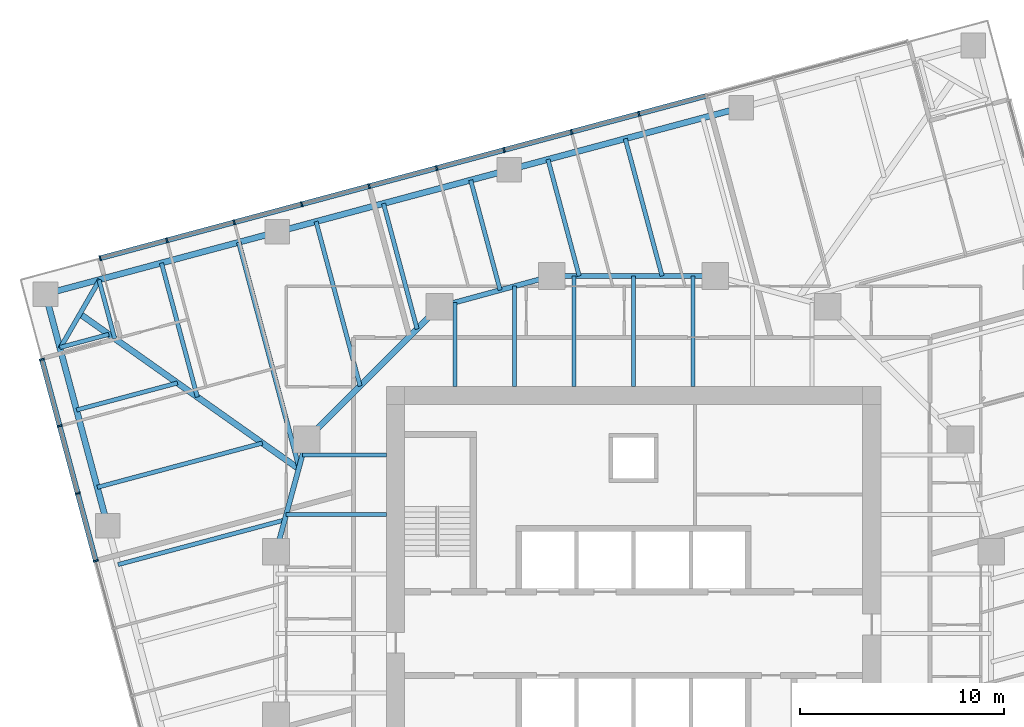
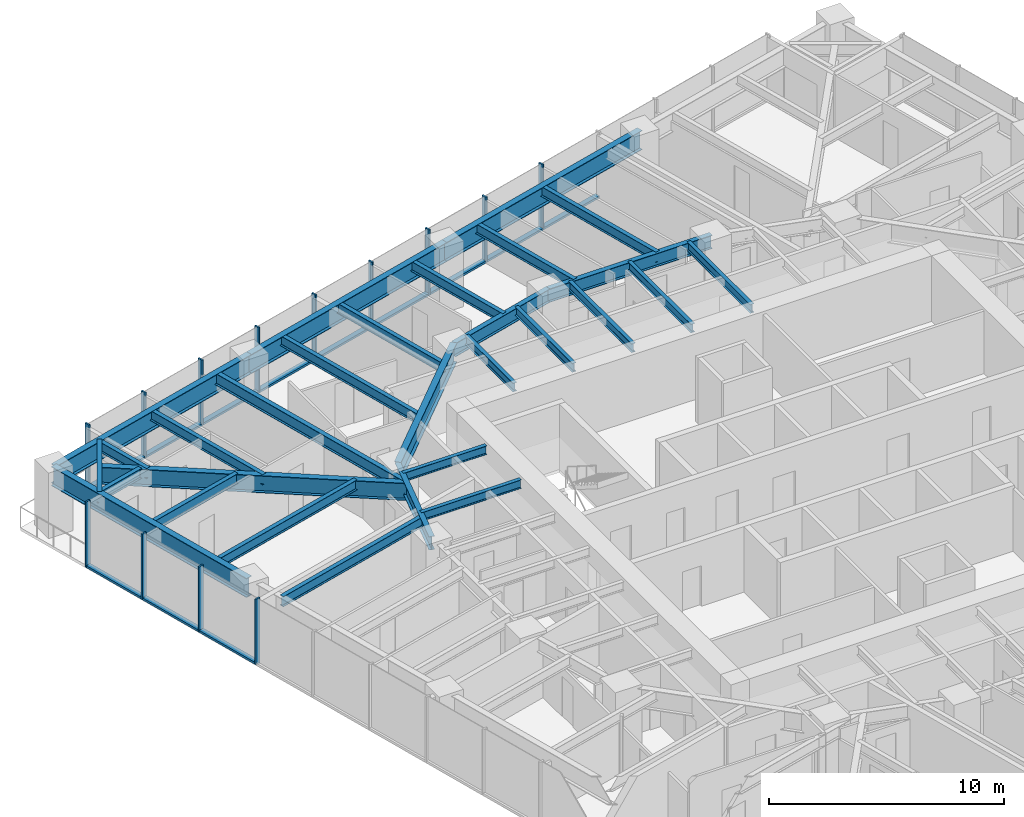
# One storey, part 5 of 14: 29 beams, 25 members, 2 elements without a shape of their own.
"""IFC4 building model written with IfcOpenShell, lengths in metres."""

import ifcopenshell
import ifcopenshell.guid

model = None  # the IFC model being written
_history = None  # IfcOwnerHistory: only IFC2X3 demands one
_inside = {}  # id of a spatial element -> (the spatial element, [elements in it])
_under = {}  # id of a project, library or spatial element -> (it, [spatial elements below it])
_declared = {}  # id of a project -> (the project, [libraries it declares])
_typed = {}  # id of a type object -> (the type object, [elements of that type])
_made_of = {}  # id of a material, layer set ... -> (it, [elements and type objects made of it])


def new_model(schema):
    """Start an empty IFC model of exactly this schema.

    Asked for "IFC4X3", IfcOpenShell would pick the latest addendum, in which some entities
    have other attributes; the version numbers below select the first issue.
    IFC2X3 requires an IfcOwnerHistory on every rooted entity: one is made here for all.
    """
    global model, _history
    if schema == "IFC4X3":
        model = ifcopenshell.file(schema_version=(4, 3, 0, 0))
    else:
        model = ifcopenshell.file(schema=schema)
    _inside.clear()
    _under.clear()
    _declared.clear()
    _typed.clear()
    _made_of.clear()
    _history = None
    if model.schema == "IFC2X3":
        org = make("IfcOrganization", Name="unknown")
        user = make(
            "IfcPersonAndOrganization",
            ThePerson=make("IfcPerson", FamilyName="unknown"),
            TheOrganization=org,
        )
        app = make(
            "IfcApplication",
            ApplicationDeveloper=org,
            Version="unknown",
            ApplicationFullName="unknown",
            ApplicationIdentifier="unknown",
        )
        _history = make(
            "IfcOwnerHistory",
            OwningUser=user,
            OwningApplication=app,
            ChangeAction="ADDED",
            CreationDate=0,
        )
    return model


def make(cls, **values):
    """One entity of the class cls with the attributes given. An attribute that is None is left unset."""
    return model.create_entity(
        cls, **{name: value for name, value in values.items() if value is not None}
    )


def rooted(cls, **values):
    """An entity with a GlobalId (a new one), such as an element, a storey or a relation."""
    return make(cls, GlobalId=ifcopenshell.guid.new(), OwnerHistory=_history, **values)


def si_unit(unit_type, name, prefix=None):
    """IfcSIUnit, for example si_unit("LENGTHUNIT", "METRE", prefix="MILLI")."""
    return make("IfcSIUnit", UnitType=unit_type, Prefix=prefix, Name=name)


def assignment(units):
    """IfcUnitAssignment: the units of a project."""
    return None if units is None else make("IfcUnitAssignment", Units=units)


def point(xyz):
    """IfcCartesianPoint."""
    return None if xyz is None else make("IfcCartesianPoint", Coordinates=xyz)


def direction(xyz):
    """IfcDirection."""
    return None if xyz is None else make("IfcDirection", DirectionRatios=xyz)


def frame(location, z_axis=None, x_axis=None):
    """IfcAxis2Placement3D, a coordinate frame: its origin and axes. An axis left out is left unset."""
    return make(
        "IfcAxis2Placement3D",
        Location=point(location),
        Axis=direction(z_axis),
        RefDirection=direction(x_axis),
    )


def frame_2d(location, x_axis=None):
    """IfcAxis2Placement2D, a coordinate frame in the plane: its origin and x axis."""
    return make(
        "IfcAxis2Placement2D", Location=point(location), RefDirection=direction(x_axis)
    )


def origin():
    """The frame at (0, 0, 0) with its axes left unset."""
    return frame((0.0, 0.0, 0.0))


def origin_2d():
    """The frame at (0, 0) in the plane with its x axis left unset."""
    return frame_2d((0.0, 0.0))


def place(relative_to, where):
    """IfcLocalPlacement: puts the frame where relative to a parent placement (None: the world)."""
    return make(
        "IfcLocalPlacement", PlacementRelTo=relative_to, RelativePlacement=where
    )


def context(
    kind, dimensions, precision=None, world=None, true_north=None, identifier=None
):
    """IfcGeometricRepresentationContext, for example the 3D "Model" context."""
    return make(
        "IfcGeometricRepresentationContext",
        ContextIdentifier=identifier,
        ContextType=kind,
        CoordinateSpaceDimension=dimensions,
        Precision=precision,
        WorldCoordinateSystem=world,
        TrueNorth=true_north,
    )


def subcontext(parent, identifier, kind, view, scale=None):
    """IfcGeometricRepresentationSubContext, for example "Body" below "Model"."""
    return make(
        "IfcGeometricRepresentationSubContext",
        ContextIdentifier=identifier,
        ContextType=kind,
        ParentContext=parent,
        TargetScale=scale,
        TargetView=view,
    )


def project(units=None, contexts=None):
    """IfcProject with its units and contexts."""
    return rooted(
        "IfcProject",
        Name="project",
        RepresentationContexts=contexts,
        UnitsInContext=assignment(units),
    )


def spatial(cls, under=None, at=None, **own):
    """A site, building, storey or space (cls), placed at a placement, below another one or the project."""
    s = rooted(cls, ObjectPlacement=at, **own)
    if under is not None:
        _under.setdefault(under.id(), (under, []))[1].append(s)
    return s


def profile(cls, at=None, kind="AREA", **sizes):
    """A parametric profile (cls). Its sizes go by their IFC names, for example OverallWidth=200.0."""
    return make(cls, ProfileType=kind, Position=at, **sizes)


def rectangle(**sizes):
    """IfcRectangleProfileDef."""
    return profile("IfcRectangleProfileDef", **sizes)


def i_section(**sizes):
    """IfcIShapeProfileDef."""
    return profile("IfcIShapeProfileDef", **sizes)


def extrude(swept, where, along, depth):
    """IfcExtrudedAreaSolid: the profile swept, set in the frame where, extruded along a direction by depth."""
    return make(
        "IfcExtrudedAreaSolid",
        SweptArea=swept,
        Position=where,
        ExtrudedDirection=direction(along),
        Depth=depth,
    )


def shape(context_of_items, identifier, shape_type, items):
    """IfcShapeRepresentation: the items that make up one representation, for example the "Body"."""
    return make(
        "IfcShapeRepresentation",
        ContextOfItems=context_of_items,
        RepresentationIdentifier=identifier,
        RepresentationType=shape_type,
        Items=items,
    )


def material(Name=None, Category=None):
    """IfcMaterial."""
    return make("IfcMaterial", Name=Name, Category=Category)


def material_profile(
    of_material, cross_section, Name=None, Category=None, Priority=None
):
    """IfcMaterialProfile: a cross section and its material."""
    return make(
        "IfcMaterialProfile",
        Name=Name,
        Material=of_material,
        Profile=cross_section,
        Priority=Priority,
        Category=Category,
    )


def profile_set(profiles, Name=None, composite=None):
    """IfcMaterialProfileSet."""
    return make(
        "IfcMaterialProfileSet",
        Name=Name,
        MaterialProfiles=profiles,
        CompositeProfile=composite,
    )


def made_of(thing, what):
    """Note that an element or type object is made of a material, layer set ...; save() writes the relation."""
    if what is not None:
        _made_of.setdefault(what.id(), (what, []))[1].append(thing)
    return thing


def type_object(cls, material=None, **own):
    """A type object (cls), such as IfcWallType, which elements share."""
    return made_of(rooted(cls, **own), material)


def element(
    cls,
    number,
    at=None,
    inside=None,
    cuts=None,
    type_object=None,
    material=None,
    context=None,
    identifier="Body",
    shape_type=None,
    held_by="IfcProductDefinitionShape",
    body=None,
    shapes=None,
    **own,
):
    """One element of the class cls, such as IfcWall. Its Tag is "e" and its number.

    at: its placement. inside: the storey or other place that contains it. cuts: it is an
    opening in that element (IfcRelVoidsElement). A single representation is given by context,
    identifier, shape_type and body (its items); several are given by shapes. held_by: the class
    of the entity that holds the representations. save() writes the other relations.
    """
    e = rooted(cls, Tag="e%d" % number, ObjectPlacement=at, **own)
    if body is not None:
        shapes = [shape(context, identifier, shape_type, body)]
    if shapes is not None:
        e.Representation = make(held_by, Representations=shapes)
    if inside is not None:
        _inside.setdefault(inside.id(), (inside, []))[1].append(e)
    if cuts is not None:
        rooted(
            "IfcRelVoidsElement", RelatingBuildingElement=cuts, RelatedOpeningElement=e
        )
    if type_object is not None:
        _typed.setdefault(type_object.id(), (type_object, []))[1].append(e)
    return made_of(e, material)


def aggregate(whole, parts):
    """IfcRelAggregates: a whole, such as a stair, and the parts it consists of."""
    return rooted("IfcRelAggregates", RelatingObject=whole, RelatedObjects=parts)


def save(model, path):
    """Write the relations noted so far, then the file.

    IfcRelAggregates (storeys below a building ...), IfcRelContainedInSpatialStructure (elements
    in a storey), IfcRelDefinesByType, IfcRelAssociatesMaterial and IfcRelDeclares: one each for
    every whole, place, type object, material and project.
    """
    for whole, parts in _under.values():
        aggregate(whole, parts)
    for where, things in _inside.values():
        rooted(
            "IfcRelContainedInSpatialStructure",
            RelatedElements=things,
            RelatingStructure=where,
        )
    for kind, things in _typed.values():
        rooted("IfcRelDefinesByType", RelatedObjects=things, RelatingType=kind)
    for what, things in _made_of.values():
        rooted("IfcRelAssociatesMaterial", RelatedObjects=things, RelatingMaterial=what)
    for by, libraries in _declared.values():
        rooted("IfcRelDeclares", RelatingContext=by, RelatedDefinitions=libraries)
    model.write(path)


model = new_model("IFC4")

# Units and contexts
model_context = context("Model", 3, precision=1e-05, world=origin(), true_north=direction((0.0, 1.0)))
body_context = subcontext(model_context, "Body", "Model", "MODEL_VIEW")
ifc_project = project(units=[si_unit("LENGTHUNIT", "METRE"), si_unit("AREAUNIT", "SQUARE_METRE"), si_unit("VOLUMEUNIT", "CUBIC_METRE"), si_unit("PLANEANGLEUNIT", "RADIAN"), si_unit("MASSUNIT", "GRAM", prefix="KILO")], contexts=[model_context])

# Site, building, storey
site_placement = place(None, origin())
site = spatial("IfcSite", under=ifc_project, at=site_placement, CompositionType="ELEMENT")
building_placement = place(site_placement, origin())
building = spatial("IfcBuilding", under=site, at=building_placement, Name="Torsade Residences", CompositionType="ELEMENT")
storey_placement = place(building_placement, frame((0.0, 0.0, 111.60009765625)))
storey = spatial("IfcBuildingStorey", under=building, at=storey_placement, Name="L30", CompositionType="ELEMENT", Elevation=111.60009765625)

# Beams
ifc_material_1 = material(Name="Steel grade 300", Category="steel")
ifc_material_profile_1 = material_profile(ifc_material_1, i_section(OverallWidth=0.300048828125, OverallDepth=0.89990234375, WebThickness=0.011962890625, FlangeThickness=0.02490234375, at=origin_2d()), Name="900WB175")
ifc_profile_set_1 = profile_set([ifc_material_profile_1], Name="Steel grade 300")
beam_type_1 = type_object("IfcBeamType", Name="CORNER GIRDER 900WB175", PredefinedType="BEAM", material=ifc_profile_set_1)
beam_1_placement = place(storey_placement, frame((12.902587890625, 45.644775390625, 2.7998046875), z_axis=(0.816261084801, -0.577683167004, 0.0), x_axis=(0.577683167004, 0.816261084801, 0.0)))
element("IfcBeam", 1, at=beam_1_placement, inside=storey, type_object=beam_type_1, Name="Corner girder 13 L31", PredefinedType="BEAM", context=body_context, shape_type="SweptSolid", body=[
    extrude(i_section(OverallWidth=0.300048828125, OverallDepth=0.89990234375, WebThickness=0.011962890625, FlangeThickness=0.02490234375, at=origin_2d()), origin(), (0.0, 0.0, 1.0), 13.116943359375),
])
ifc_material_2 = material(Name="Steel grade 300", Category="steel")
ifc_material_profile_2 = material_profile(ifc_material_2, i_section(OverallWidth=0.22802734375, OverallDepth=0.60205078125, WebThickness=0.010498046875, FlangeThickness=0.014892578125, FilletRadius=0.013916015625, at=origin_2d()), Name="610UB101")
ifc_profile_set_2 = profile_set([ifc_material_profile_2], Name="Steel grade 300")
beam_type_2 = type_object("IfcBeamType", Name="CORNER TRIMMER 610UB101", PredefinedType="BEAM", material=ifc_profile_set_2)
beam_2_placement = place(storey_placement, frame((11.93017578125, 43.960693359375, 2.948974609375), z_axis=(0.499994147244, 0.866028782848, 0.0), x_axis=(-0.866028782848, 0.499994147244, 0.0)))
element("IfcBeam", 2, at=beam_2_placement, inside=storey, type_object=beam_type_2, Name="Corner trimmer 13 L31", PredefinedType="BEAM", context=body_context, shape_type="SweptSolid", body=[
    extrude(i_section(OverallWidth=0.22802734375, OverallDepth=0.60205078125, WebThickness=0.010498046875, FlangeThickness=0.014892578125, FilletRadius=0.013916015625, at=origin_2d()), origin(), (0.0, 0.0, 1.0), 3.88916015625),
])
ifc_material_3 = material(Name="Steel grade 300", Category="steel")
ifc_material_profile_3 = material_profile(ifc_material_3, i_section(OverallWidth=0.300048828125, OverallDepth=1.0, WebThickness=0.01611328125, FlangeThickness=0.028076171875, at=origin_2d()), Name="1000WB215")
ifc_profile_set_3 = profile_set([ifc_material_profile_3], Name="Steel grade 300")
beam_type_3 = type_object("IfcBeamType", Name="EDGE BEAM 1000WB215", PredefinedType="SPANDREL", material=ifc_profile_set_3)
for number, where, z_axis, x_axis, name in (
    (3, (45.267333984375, 55.740478515625, 2.75), (-0.965922824118, -0.258830249097, 0.0), (0.258830249097, -0.965922824118, 0.0), "Edge beam 10 L31"),
    (4, (33.917724609375, 52.69921875, 2.75), (-0.965928018634, -0.258810863021, 0.0), (0.258810863021, -0.965928018634, 0.0), "Edge beam 11 L31"),
    (5, (22.568115234375, 49.658203125, 2.75), (-0.965922824118, -0.258830249097, 0.0), (0.258830249097, -0.965922824118, 0.0), "Edge beam 12 L31"),
    (6, (11.218505859375, 46.616943359375, 2.75), (0.258810863021, -0.965928018634, 0.0), (0.965928018634, 0.258810863021, 0.0), "Edge beam 13 L31"),
):
    element("IfcBeam", number, at=place(storey_placement, frame(where, z_axis=z_axis, x_axis=x_axis)), inside=storey, type_object=beam_type_3, Name=name, PredefinedType="SPANDREL", context=body_context, shape_type="SweptSolid", body=[
        extrude(i_section(OverallWidth=0.300048828125, OverallDepth=1.0, WebThickness=0.01611328125, FlangeThickness=0.028076171875, at=origin_2d()), origin(), (0.0, 0.0, 1.0), 11.75),
    ])
ifc_material_4 = material(Name="Steel grade 300", Category="steel")
ifc_material_profile_4 = material_profile(ifc_material_4, i_section(OverallWidth=0.18994140625, OverallDepth=0.4541015625, WebThickness=0.008544921875, FlangeThickness=0.0126953125, FilletRadius=0.011474609375, at=origin_2d()), Name="460UB67.1")
ifc_profile_set_4 = profile_set([ifc_material_profile_4], Name="Steel grade 300")
beam_type_4 = type_object("IfcBeamType", Name="INNER FLOOR BEAM 460UB67.1", PredefinedType="JOIST", material=ifc_profile_set_4)
beam_3_placement = place(storey_placement, frame((31.262451171875, 42.10009765625, 3.02294921875), z_axis=(0.0, 1.0, 0.0), x_axis=(-1.0, 0.0, 0.0)))
element("IfcBeam", 7, at=beam_3_placement, inside=storey, type_object=beam_type_4, Name="Inner floor beam IN01 L31", PredefinedType="JOIST", context=body_context, shape_type="SweptSolid", body=[
    extrude(i_section(OverallWidth=0.18994140625, OverallDepth=0.4541015625, WebThickness=0.008544921875, FlangeThickness=0.0126953125, FilletRadius=0.011474609375, at=origin_2d()), origin(), (0.0, 0.0, 1.0), 4.10791015625),
])
beam_4_placement = place(storey_placement, frame((34.175048828125, 42.10009765625, 3.02294921875), z_axis=(0.0, 1.0, 0.0), x_axis=(-1.0, 0.0, 0.0)))
element("IfcBeam", 8, at=beam_4_placement, inside=storey, type_object=beam_type_4, Name="Inner floor beam IN02 L31", PredefinedType="JOIST", context=body_context, shape_type="SweptSolid", body=[
    extrude(i_section(OverallWidth=0.18994140625, OverallDepth=0.4541015625, WebThickness=0.008544921875, FlangeThickness=0.0126953125, FilletRadius=0.011474609375, at=origin_2d()), origin(), (0.0, 0.0, 1.0), 4.902099609375),
])
for number, where, z_axis, x_axis, name in (
    (9, (37.08740234375, 42.10009765625, 3.02294921875), (0.0, 1.0, 0.0), (-1.0, 0.0, 0.0), "Inner floor beam IN03 L31"),
    (10, (40.0, 42.10009765625, 3.02294921875), (0.0, 1.0, 0.0), (-1.0, 0.0, 0.0), "Inner floor beam IN04 L31"),
    (11, (42.91259765625, 42.10009765625, 3.02294921875), (0.0, 1.0, 0.0), (-1.0, 0.0, 0.0), "Inner floor beam IN05 L31"),
):
    element("IfcBeam", number, at=place(storey_placement, frame(where, z_axis=z_axis, x_axis=x_axis)), inside=storey, type_object=beam_type_4, Name=name, PredefinedType="JOIST", context=body_context, shape_type="SweptSolid", body=[
        extrude(i_section(OverallWidth=0.18994140625, OverallDepth=0.4541015625, WebThickness=0.008544921875, FlangeThickness=0.0126953125, FilletRadius=0.011474609375, at=origin_2d()), origin(), (0.0, 0.0, 1.0), 5.39990234375),
    ])
beam_5_placement = place(storey_placement, frame((27.89990234375, 38.737548828125, 3.02294921875), z_axis=(-1.0, 0.0, 0.0), x_axis=(0.0, -1.0, 0.0)))
element("IfcBeam", 12, at=beam_5_placement, inside=storey, type_object=beam_type_4, Name="Inner floor beam IW01 L31", PredefinedType="JOIST", context=body_context, shape_type="SweptSolid", body=[
    extrude(i_section(OverallWidth=0.18994140625, OverallDepth=0.4541015625, WebThickness=0.008544921875, FlangeThickness=0.0126953125, FilletRadius=0.011474609375, at=origin_2d()), origin(), (0.0, 0.0, 1.0), 4.10791015625),
])
beam_6_placement = place(storey_placement, frame((27.89990234375, 35.824951171875, 3.02294921875), z_axis=(-1.0, 0.0, 0.0), x_axis=(0.0, -1.0, 0.0)))
element("IfcBeam", 13, at=beam_6_placement, inside=storey, type_object=beam_type_4, Name="Inner floor beam IW02 L31", PredefinedType="JOIST", context=body_context, shape_type="SweptSolid", body=[
    extrude(i_section(OverallWidth=0.18994140625, OverallDepth=0.4541015625, WebThickness=0.008544921875, FlangeThickness=0.0126953125, FilletRadius=0.011474609375, at=origin_2d()), origin(), (0.0, 0.0, 1.0), 4.902099609375),
])

# Curtain wall, members
ifc_material_5 = material(Name="Aluminium and glass", Category="aluminium")
curtain_wall_type = type_object("IfcCurtainWallType", Name="FRITTED GLASS CURTAIN WALL MID ZONE", PredefinedType="NOTDEFINED", material=ifc_material_5)
curtain_wall_1_placement = place(storey_placement, origin())
curtain_wall_1 = element("IfcCurtainWall", 14, at=curtain_wall_1_placement, inside=storey, type_object=curtain_wall_type, Name="Curtain wall L30 face 7", PredefinedType="NOTDEFINED")
ifc_material_6 = material(Name="Aluminium mullion", Category="aluminium")
ifc_material_profile_5 = material_profile(ifc_material_6, rectangle(XDim=0.25, YDim=0.080078125, at=origin_2d()), Name="MID ZONE CURTAIN WALL MULLION 250x80")
ifc_profile_set_5 = profile_set([ifc_material_profile_5], Name="Aluminium mullion")
member_type_1 = type_object("IfcMemberType", Name="MID ZONE CURTAIN WALL MULLION 250x80", PredefinedType="MULLION", material=ifc_profile_set_5)
member_1_placement = place(storey_placement, frame((40.259521484375, 55.433837890625, 0.0), z_axis=(0.0, 0.0, 1.0), x_axis=(0.258819047783, -0.965925825571, 0.0)))
member_1 = element("IfcMember", 15, at=member_1_placement, type_object=member_type_1, Name="Mullion 5", PredefinedType="MULLION", context=body_context, shape_type="SweptSolid", body=[
    extrude(rectangle(XDim=0.25, YDim=0.080078125, at=origin_2d()), origin(), (0.0, 0.0, 1.0), 3.39990234375),
])
member_2_placement = place(storey_placement, frame((36.959228515625, 54.549560546875, 0.0), z_axis=(0.0, 0.0, 1.0), x_axis=(0.258819047783, -0.965925825571, 0.0)))
member_2 = element("IfcMember", 16, at=member_2_placement, type_object=member_type_1, Name="Mullion 6", PredefinedType="MULLION", context=body_context, shape_type="SweptSolid", body=[
    extrude(rectangle(XDim=0.25, YDim=0.080078125, at=origin_2d()), origin(), (0.0, 0.0, 1.0), 3.39990234375),
])
member_3_placement = place(storey_placement, frame((33.658935546875, 53.665283203125, 0.0), z_axis=(0.0, 0.0, 1.0), x_axis=(0.258819047783, -0.965925825571, 0.0)))
member_3 = element("IfcMember", 17, at=member_3_placement, type_object=member_type_1, Name="Mullion 7", PredefinedType="MULLION", context=body_context, shape_type="SweptSolid", body=[
    extrude(rectangle(XDim=0.25, YDim=0.080078125, at=origin_2d()), origin(), (0.0, 0.0, 1.0), 3.39990234375),
])
member_4_placement = place(storey_placement, frame((30.358642578125, 52.781005859375, 0.0), z_axis=(0.0, 0.0, 1.0), x_axis=(0.258819047783, -0.965925825571, 0.0)))
member_4 = element("IfcMember", 18, at=member_4_placement, type_object=member_type_1, Name="Mullion 8", PredefinedType="MULLION", context=body_context, shape_type="SweptSolid", body=[
    extrude(rectangle(XDim=0.25, YDim=0.080078125, at=origin_2d()), origin(), (0.0, 0.0, 1.0), 3.39990234375),
])
member_5_placement = place(storey_placement, frame((27.058349609375, 51.896484375, 0.0), z_axis=(0.0, 0.0, 1.0), x_axis=(0.258819047783, -0.965925825571, 0.0)))
member_5 = element("IfcMember", 19, at=member_5_placement, type_object=member_type_1, Name="Mullion 9", PredefinedType="MULLION", context=body_context, shape_type="SweptSolid", body=[
    extrude(rectangle(XDim=0.25, YDim=0.080078125, at=origin_2d()), origin(), (0.0, 0.0, 1.0), 3.39990234375),
])
member_6_placement = place(storey_placement, frame((23.75830078125, 51.01220703125, 0.0), z_axis=(0.0, 0.0, 1.0), x_axis=(0.258819047783, -0.965925825571, 0.0)))
member_6 = element("IfcMember", 20, at=member_6_placement, type_object=member_type_1, Name="Mullion 10", PredefinedType="MULLION", context=body_context, shape_type="SweptSolid", body=[
    extrude(rectangle(XDim=0.25, YDim=0.080078125, at=origin_2d()), origin(), (0.0, 0.0, 1.0), 3.39990234375),
])
member_7_placement = place(storey_placement, frame((20.4580078125, 50.1279296875, 0.0), z_axis=(0.0, 0.0, 1.0), x_axis=(0.258819047783, -0.965925825571, 0.0)))
member_7 = element("IfcMember", 21, at=member_7_placement, type_object=member_type_1, Name="Mullion 11", PredefinedType="MULLION", context=body_context, shape_type="SweptSolid", body=[
    extrude(rectangle(XDim=0.25, YDim=0.080078125, at=origin_2d()), origin(), (0.0, 0.0, 1.0), 3.39990234375),
])
member_8_placement = place(storey_placement, frame((17.15771484375, 49.24365234375, 0.0), z_axis=(0.0, 0.0, 1.0), x_axis=(0.258819047783, -0.965925825571, 0.0)))
member_8 = element("IfcMember", 22, at=member_8_placement, type_object=member_type_1, Name="Mullion 12", PredefinedType="MULLION", context=body_context, shape_type="SweptSolid", body=[
    extrude(rectangle(XDim=0.25, YDim=0.080078125, at=origin_2d()), origin(), (0.0, 0.0, 1.0), 3.39990234375),
])
member_9_placement = place(storey_placement, frame((13.89599609375, 48.36962890625, 0.0), z_axis=(0.0, 0.0, 1.0), x_axis=(0.258819047783, -0.965925825571, 0.0)))
member_9 = element("IfcMember", 23, at=member_9_placement, type_object=member_type_1, Name="Mullion 13", PredefinedType="MULLION", context=body_context, shape_type="SweptSolid", body=[
    extrude(rectangle(XDim=0.25, YDim=0.080078125, at=origin_2d()), origin(), (0.0, 0.0, 1.0), 3.39990234375),
])

curtain_wall_2_placement = place(storey_placement, origin())
curtain_wall_2 = element("IfcCurtainWall", 24, at=curtain_wall_2_placement, inside=storey, type_object=curtain_wall_type, Name="Curtain wall L30 face 10", PredefinedType="NOTDEFINED")
member_10_placement = place(storey_placement, frame((11.039306640625, 43.421875, 0.0), z_axis=(0.0, 0.0, 1.0), x_axis=(0.965925825571, 0.258819047783, 0.0)))
member_10 = element("IfcMember", 25, at=member_10_placement, type_object=member_type_1, Name="Mullion 1", PredefinedType="MULLION", context=body_context, shape_type="SweptSolid", body=[
    extrude(rectangle(XDim=0.25, YDim=0.080078125, at=origin_2d()), origin(), (0.0, 0.0, 1.0), 3.39990234375),
])
member_11_placement = place(storey_placement, frame((11.913330078125, 40.16015625, 0.0), z_axis=(0.0, 0.0, 1.0), x_axis=(0.965925825571, 0.258819047783, 0.0)))
member_11 = element("IfcMember", 26, at=member_11_placement, type_object=member_type_1, Name="Mullion 2", PredefinedType="MULLION", context=body_context, shape_type="SweptSolid", body=[
    extrude(rectangle(XDim=0.25, YDim=0.080078125, at=origin_2d()), origin(), (0.0, 0.0, 1.0), 3.39990234375),
])
member_12_placement = place(storey_placement, frame((12.797607421875, 36.85986328125, 0.0), z_axis=(0.0, 0.0, 1.0), x_axis=(0.965925825571, 0.258819047783, 0.0)))
member_12 = element("IfcMember", 27, at=member_12_placement, type_object=member_type_1, Name="Mullion 3", PredefinedType="MULLION", context=body_context, shape_type="SweptSolid", body=[
    extrude(rectangle(XDim=0.25, YDim=0.080078125, at=origin_2d()), origin(), (0.0, 0.0, 1.0), 3.39990234375),
])
member_13_placement = place(storey_placement, frame((13.681884765625, 33.5595703125, 0.0), z_axis=(0.0, 0.0, 1.0), x_axis=(0.965925825571, 0.258819047783, 0.0)))
member_13 = element("IfcMember", 28, at=member_13_placement, type_object=member_type_1, Name="Mullion 4", PredefinedType="MULLION", context=body_context, shape_type="SweptSolid", body=[
    extrude(rectangle(XDim=0.25, YDim=0.080078125, at=origin_2d()), origin(), (0.0, 0.0, 1.0), 3.39990234375),
])

# Member
ifc_material_7 = material(Name="Aluminium transom", Category="aluminium")
ifc_material_profile_6 = material_profile(ifc_material_7, rectangle(XDim=0.25, YDim=0.110107421875, at=origin_2d()), Name="MID ZONE CURTAIN WALL TRANSOM 250x110")
ifc_profile_set_6 = profile_set([ifc_material_profile_6], Name="Aluminium transom")
member_type_2 = type_object("IfcMemberType", Name="MID ZONE CURTAIN WALL TRANSOM 250x110", PredefinedType="USERDEFINED", material=ifc_profile_set_6)
member_14_placement = place(storey_placement, frame((43.52099609375, 56.3076171875, 0.054931640625), z_axis=(-0.965929435155, -0.258805576255, 0.0), x_axis=(0.258805576255, -0.965929435155, 0.0)))
member_14 = element("IfcMember", 29, at=member_14_placement, type_object=member_type_2, Name="Transom 4.1", ObjectType="TRANSOM", PredefinedType="USERDEFINED", context=body_context, shape_type="SweptSolid", body=[
    extrude(rectangle(XDim=0.25, YDim=0.110107421875, at=origin_2d()), origin(), (0.0, 0.0, 1.0), 3.336669921875),
])

member_15_placement = place(storey_placement, frame((40.220703125, 55.42333984375, 0.054931640625), z_axis=(-0.965929435155, -0.258805576255, 0.0), x_axis=(0.258805576255, -0.965929435155, 0.0)))
member_15 = element("IfcMember", 30, at=member_15_placement, type_object=member_type_2, Name="Transom 5.1", ObjectType="TRANSOM", PredefinedType="USERDEFINED", context=body_context, shape_type="SweptSolid", body=[
    extrude(rectangle(XDim=0.25, YDim=0.110107421875, at=origin_2d()), origin(), (0.0, 0.0, 1.0), 3.336669921875),
])

member_16_placement = place(storey_placement, frame((36.920654296875, 54.5390625, 0.054931640625), z_axis=(-0.965934335648, -0.258787285653, 0.0), x_axis=(0.258787285653, -0.965934335648, 0.0)))
member_16 = element("IfcMember", 31, at=member_16_placement, type_object=member_type_2, Name="Transom 6.1", ObjectType="TRANSOM", PredefinedType="USERDEFINED", context=body_context, shape_type="SweptSolid", body=[
    extrude(rectangle(XDim=0.25, YDim=0.110107421875, at=origin_2d()), origin(), (0.0, 0.0, 1.0), 3.3369140625),
])

member_17_placement = place(storey_placement, frame((33.620361328125, 53.65478515625, 0.054931640625), z_axis=(-0.965934335648, -0.258787285653, 0.0), x_axis=(0.258787285653, -0.965934335648, 0.0)))
member_17 = element("IfcMember", 32, at=member_17_placement, type_object=member_type_2, Name="Transom 7.1", ObjectType="TRANSOM", PredefinedType="USERDEFINED", context=body_context, shape_type="SweptSolid", body=[
    extrude(rectangle(XDim=0.25, YDim=0.110107421875, at=origin_2d()), origin(), (0.0, 0.0, 1.0), 3.3369140625),
])

member_18_placement = place(storey_placement, frame((30.320068359375, 52.7705078125, 0.054931640625), z_axis=(-0.965929435155, -0.258805576255, 0.0), x_axis=(0.258805576255, -0.965929435155, 0.0)))
member_18 = element("IfcMember", 33, at=member_18_placement, type_object=member_type_2, Name="Transom 8.1", ObjectType="TRANSOM", PredefinedType="USERDEFINED", context=body_context, shape_type="SweptSolid", body=[
    extrude(rectangle(XDim=0.25, YDim=0.110107421875, at=origin_2d()), origin(), (0.0, 0.0, 1.0), 3.336669921875),
])

member_19_placement = place(storey_placement, frame((27.019775390625, 51.88623046875, 0.054931640625), z_axis=(-0.965929435155, -0.258805576255, 0.0), x_axis=(0.258805576255, -0.965929435155, 0.0)))
member_19 = element("IfcMember", 34, at=member_19_placement, type_object=member_type_2, Name="Transom 9.1", ObjectType="TRANSOM", PredefinedType="USERDEFINED", context=body_context, shape_type="SweptSolid", body=[
    extrude(rectangle(XDim=0.25, YDim=0.110107421875, at=origin_2d()), origin(), (0.0, 0.0, 1.0), 3.336669921875),
])

member_20_placement = place(storey_placement, frame((23.719482421875, 51.001953125, 0.054931640625), z_axis=(-0.965929435155, -0.258805576255, 0.0), x_axis=(0.258805576255, -0.965929435155, 0.0)))
member_20 = element("IfcMember", 35, at=member_20_placement, type_object=member_type_2, Name="Transom 10.1", ObjectType="TRANSOM", PredefinedType="USERDEFINED", context=body_context, shape_type="SweptSolid", body=[
    extrude(rectangle(XDim=0.25, YDim=0.110107421875, at=origin_2d()), origin(), (0.0, 0.0, 1.0), 3.336669921875),
])

member_21_placement = place(storey_placement, frame((20.419189453125, 50.11767578125, 0.054931640625), z_axis=(-0.965929435155, -0.258805576255, 0.0), x_axis=(0.258805576255, -0.965929435155, 0.0)))
member_21 = element("IfcMember", 36, at=member_21_placement, type_object=member_type_2, Name="Transom 11.1", ObjectType="TRANSOM", PredefinedType="USERDEFINED", context=body_context, shape_type="SweptSolid", body=[
    extrude(rectangle(XDim=0.25, YDim=0.110107421875, at=origin_2d()), origin(), (0.0, 0.0, 1.0), 3.336669921875),
])

member_22_placement = place(storey_placement, frame((17.119140625, 49.2333984375, 0.054931640625), z_axis=(-0.965923258633, -0.258828627534, 0.0), x_axis=(0.258828627534, -0.965923258633, 0.0)))
member_22 = element("IfcMember", 37, at=member_22_placement, type_object=member_type_2, Name="Transom 12.1", ObjectType="TRANSOM", PredefinedType="USERDEFINED", context=body_context, shape_type="SweptSolid", body=[
    extrude(rectangle(XDim=0.25, YDim=0.110107421875, at=origin_2d()), origin(), (0.0, 0.0, 1.0), 3.296630859375),
])

aggregate(curtain_wall_1, [member_1, member_2, member_3, member_4, member_5, member_6, member_7, member_8, member_9, member_14, member_15, member_16, member_17, member_18, member_19, member_20, member_21, member_22])

member_23_placement = place(storey_placement, frame((11.0498046875, 43.383056640625, 0.054931640625), z_axis=(0.258828627534, -0.965923258633, 0.0), x_axis=(0.965923258633, 0.258828627534, 0.0)))
member_23 = element("IfcMember", 38, at=member_23_placement, type_object=member_type_2, Name="Transom 1.1", ObjectType="TRANSOM", PredefinedType="USERDEFINED", context=body_context, shape_type="SweptSolid", body=[
    extrude(rectangle(XDim=0.25, YDim=0.110107421875, at=origin_2d()), origin(), (0.0, 0.0, 1.0), 3.296630859375),
])

member_24_placement = place(storey_placement, frame((11.923583984375, 40.12158203125, 0.054931640625), z_axis=(0.258855549498, -0.965916044226, 0.0), x_axis=(0.965916044226, 0.258855549498, 0.0)))
member_24 = element("IfcMember", 39, at=member_24_placement, type_object=member_type_2, Name="Transom 2.1", ObjectType="TRANSOM", PredefinedType="USERDEFINED", context=body_context, shape_type="SweptSolid", body=[
    extrude(rectangle(XDim=0.25, YDim=0.110107421875, at=origin_2d()), origin(), (0.0, 0.0, 1.0), 3.3369140625),
])

member_25_placement = place(storey_placement, frame((12.807861328125, 36.8212890625, 0.054931640625), z_axis=(0.258873844232, -0.96591114124, 0.0), x_axis=(0.96591114124, 0.258873844232, 0.0)))
member_25 = element("IfcMember", 40, at=member_25_placement, type_object=member_type_2, Name="Transom 3.1", ObjectType="TRANSOM", PredefinedType="USERDEFINED", context=body_context, shape_type="SweptSolid", body=[
    extrude(rectangle(XDim=0.25, YDim=0.110107421875, at=origin_2d()), origin(), (0.0, 0.0, 1.0), 3.336669921875),
])

aggregate(curtain_wall_2, [member_10, member_11, member_12, member_13, member_23, member_24, member_25])

# Beams
ifc_material_8 = material(Name="Steel grade 300", Category="steel")
ifc_material_profile_7 = material_profile(ifc_material_8, i_section(OverallWidth=0.300048828125, OverallDepth=1.0, WebThickness=0.01611328125, FlangeThickness=0.028076171875, at=origin_2d()), Name="1000WB215")
ifc_profile_set_7 = profile_set([ifc_material_profile_7], Name="Steel grade 300")
beam_type_5 = type_object("IfcBeamType", Name="RING CORNER GIRDER 1000WB215", PredefinedType="BEAM", material=ifc_profile_set_7)
beam_7_placement = place(storey_placement, frame((30.5, 46.0, 2.75), z_axis=(-0.707106781187, -0.707106781187, 0.0), x_axis=(0.707106781187, -0.707106781187, 0.0)))
element("IfcBeam", 41, at=beam_7_placement, inside=storey, type_object=beam_type_5, Name="Ring girder IR07 L31", PredefinedType="BEAM", context=body_context, shape_type="SweptSolid", body=[
    extrude(i_section(OverallWidth=0.300048828125, OverallDepth=1.0, WebThickness=0.01611328125, FlangeThickness=0.028076171875, at=origin_2d()), origin(), (0.0, 0.0, 1.0), 9.1923828125),
])
ifc_material_9 = material(Name="Steel grade 300", Category="steel")
ifc_material_profile_8 = material_profile(ifc_material_9, i_section(OverallWidth=0.25, OverallDepth=0.699951171875, WebThickness=0.010009765625, FlangeThickness=0.02001953125, at=origin_2d()), Name="700WB130")
ifc_profile_set_8 = profile_set([ifc_material_profile_8], Name="Steel grade 300")
beam_type_6 = type_object("IfcBeamType", Name="RING GIRDER 700WB130", PredefinedType="BEAM", material=ifc_profile_set_8)
beam_8_placement = place(storey_placement, frame((44.0, 47.5, 2.89990234375), z_axis=(-1.0, 0.0, 0.0), x_axis=(0.0, -1.0, 0.0)))
element("IfcBeam", 42, at=beam_8_placement, inside=storey, type_object=beam_type_6, Name="Ring girder IR05 L31", PredefinedType="BEAM", context=body_context, shape_type="SweptSolid", body=[
    extrude(i_section(OverallWidth=0.25, OverallDepth=0.699951171875, WebThickness=0.010009765625, FlangeThickness=0.02001953125, at=origin_2d()), origin(), (0.0, 0.0, 1.0), 8.0),
])
for number, where, z_axis, x_axis, name in (
    (43, (36.0, 47.5, 2.89990234375), (-0.964763821238, -0.263117405792, 0.0), (0.263117405792, -0.964763821238, 0.0), "Ring girder IR06 L31"),
    (44, (24.0, 39.5, 2.89990234375), (-0.263117405792, -0.964763821238, 0.0), (0.964763821238, -0.263117405792, 0.0), "Ring girder IR08 L31"),
):
    element("IfcBeam", number, at=place(storey_placement, frame(where, z_axis=z_axis, x_axis=x_axis)), inside=storey, type_object=beam_type_6, Name=name, PredefinedType="BEAM", context=body_context, shape_type="SweptSolid", body=[
        extrude(i_section(OverallWidth=0.25, OverallDepth=0.699951171875, WebThickness=0.010009765625, FlangeThickness=0.02001953125, at=origin_2d()), origin(), (0.0, 0.0, 1.0), 5.700927734375),
    ])
ifc_material_10 = material(Name="Steel grade 300", Category="steel")
ifc_material_profile_9 = material_profile(ifc_material_10, i_section(OverallWidth=0.208984375, OverallDepth=0.528076171875, WebThickness=0.009521484375, FlangeThickness=0.01318359375, FilletRadius=0.013916015625, at=origin_2d()), Name="530UB82.0")
ifc_profile_set_9 = profile_set([ifc_material_profile_9], Name="Steel grade 300")
beam_type_7 = type_object("IfcBeamType", Name="SECONDARY BEAM 530UB82.0", PredefinedType="JOIST", material=ifc_profile_set_9)
beam_9_placement = place(storey_placement, frame((39.592529296875, 54.2197265625, 2.98583984375), z_axis=(0.258817945835, -0.965926120836, 0.0), x_axis=(0.965926120836, 0.258817945835, 0.0)))
element("IfcBeam", 45, at=beam_9_placement, inside=storey, type_object=beam_type_7, Name="Floor beam FN05 L31", PredefinedType="JOIST", context=body_context, shape_type="SweptSolid", body=[
    extrude(i_section(OverallWidth=0.208984375, OverallDepth=0.528076171875, WebThickness=0.009521484375, FlangeThickness=0.01318359375, FilletRadius=0.013916015625, at=origin_2d()), origin(), (0.0, 0.0, 1.0), 6.956787109375),
])
beam_10_placement = place(storey_placement, frame((35.809326171875, 53.2060546875, 2.98583984375), z_axis=(0.258837996141, -0.965920748174, 0.0), x_axis=(0.965920748174, 0.258837996141, 0.0)))
element("IfcBeam", 46, at=beam_10_placement, inside=storey, type_object=beam_type_7, Name="Floor beam FN06 L31", PredefinedType="JOIST", context=body_context, shape_type="SweptSolid", body=[
    extrude(i_section(OverallWidth=0.208984375, OverallDepth=0.528076171875, WebThickness=0.009521484375, FlangeThickness=0.01318359375, FilletRadius=0.013916015625, at=origin_2d()), origin(), (0.0, 0.0, 1.0), 5.907470703125),
])
beam_11_placement = place(storey_placement, frame((32.026123046875, 52.1923828125, 2.98583984375), z_axis=(0.258829517553, -0.965923020144, 0.0), x_axis=(0.965923020144, 0.258829517553, 0.0)))
element("IfcBeam", 47, at=beam_11_placement, inside=storey, type_object=beam_type_7, Name="Floor beam FN07 L31", PredefinedType="JOIST", context=body_context, shape_type="SweptSolid", body=[
    extrude(i_section(OverallWidth=0.208984375, OverallDepth=0.528076171875, WebThickness=0.009521484375, FlangeThickness=0.01318359375, FilletRadius=0.013916015625, at=origin_2d()), origin(), (0.0, 0.0, 1.0), 5.57275390625),
])
beam_12_placement = place(storey_placement, frame((27.760009765625, 51.04931640625, 2.98583984375), z_axis=(0.258804520856, -0.965929717932, 0.0), x_axis=(0.965929717932, 0.258804520856, 0.0)))
element("IfcBeam", 48, at=beam_12_placement, inside=storey, type_object=beam_type_7, Name="Floor beam FN08 L31", PredefinedType="JOIST", context=body_context, shape_type="SweptSolid", body=[
    extrude(i_section(OverallWidth=0.208984375, OverallDepth=0.528076171875, WebThickness=0.009521484375, FlangeThickness=0.01318359375, FilletRadius=0.013916015625, at=origin_2d()), origin(), (0.0, 0.0, 1.0), 6.360107421875),
])
beam_13_placement = place(storey_placement, frame((24.459716796875, 50.1650390625, 2.98583984375), z_axis=(0.258833232221, -0.96592202475, 0.0), x_axis=(0.96592202475, 0.258833232221, 0.0)))
element("IfcBeam", 49, at=beam_13_placement, inside=storey, type_object=beam_type_7, Name="Floor beam FN09 L31", PredefinedType="JOIST", context=body_context, shape_type="SweptSolid", body=[
    extrude(i_section(OverallWidth=0.208984375, OverallDepth=0.528076171875, WebThickness=0.009521484375, FlangeThickness=0.01318359375, FilletRadius=0.013916015625, at=origin_2d()), origin(), (0.0, 0.0, 1.0), 8.33251953125),
])
beam_14_placement = place(storey_placement, frame((16.893310546875, 48.137451171875, 2.98583984375), z_axis=(0.258814533235, -0.965927035229, 0.0), x_axis=(0.965927035229, 0.258814533235, 0.0)))
element("IfcBeam", 50, at=beam_14_placement, inside=storey, type_object=beam_type_7, Name="Floor beam FN11 L31", PredefinedType="JOIST", context=body_context, shape_type="SweptSolid", body=[
    extrude(i_section(OverallWidth=0.208984375, OverallDepth=0.528076171875, WebThickness=0.009521484375, FlangeThickness=0.01318359375, FilletRadius=0.013916015625, at=origin_2d()), origin(), (0.0, 0.0, 1.0), 6.792724609375),
])
beam_15_placement = place(storey_placement, frame((13.83447265625, 47.31787109375, 2.98583984375), z_axis=(0.258865750242, -0.965913310475, 0.0), x_axis=(0.965913310475, 0.258865750242, 0.0)))
element("IfcBeam", 51, at=beam_15_placement, inside=storey, type_object=beam_type_7, Name="Floor beam FN12 L31", PredefinedType="JOIST", context=body_context, shape_type="SweptSolid", body=[
    extrude(i_section(OverallWidth=0.208984375, OverallDepth=0.528076171875, WebThickness=0.009521484375, FlangeThickness=0.01318359375, FilletRadius=0.013916015625, at=origin_2d()), origin(), (0.0, 0.0, 1.0), 2.980224609375),
])
beam_16_placement = place(storey_placement, frame((11.91943359375, 44.0009765625, 2.98583984375), z_axis=(0.965920834438, 0.258837674225, 0.0), x_axis=(-0.258837674225, 0.965920834438, 0.0)))
element("IfcBeam", 52, at=beam_16_placement, inside=storey, type_object=beam_type_7, Name="Floor beam FW01 L31", PredefinedType="JOIST", context=body_context, shape_type="SweptSolid", body=[
    extrude(i_section(OverallWidth=0.208984375, OverallDepth=0.528076171875, WebThickness=0.009521484375, FlangeThickness=0.01318359375, FilletRadius=0.013916015625, at=origin_2d()), origin(), (0.0, 0.0, 1.0), 2.482666015625),
])
beam_17_placement = place(storey_placement, frame((12.739013671875, 40.942138671875, 2.98583984375), z_axis=(0.965926736728, 0.258815647274, 0.0), x_axis=(-0.258815647274, 0.965926736728, 0.0)))
element("IfcBeam", 53, at=beam_17_placement, inside=storey, type_object=beam_type_7, Name="Floor beam FW02 L31", PredefinedType="JOIST", context=body_context, shape_type="SweptSolid", body=[
    extrude(i_section(OverallWidth=0.208984375, OverallDepth=0.528076171875, WebThickness=0.009521484375, FlangeThickness=0.01318359375, FilletRadius=0.013916015625, at=origin_2d()), origin(), (0.0, 0.0, 1.0), 5.11279296875),
])
beam_18_placement = place(storey_placement, frame((13.752685546875, 37.158935546875, 2.98583984375), z_axis=(0.965924734258, 0.258823120582, 0.0), x_axis=(-0.258823120582, 0.965924734258, 0.0)))
element("IfcBeam", 54, at=beam_18_placement, inside=storey, type_object=beam_type_7, Name="Floor beam FW03 L31", PredefinedType="JOIST", context=body_context, shape_type="SweptSolid", body=[
    extrude(i_section(OverallWidth=0.208984375, OverallDepth=0.528076171875, WebThickness=0.009521484375, FlangeThickness=0.01318359375, FilletRadius=0.013916015625, at=origin_2d()), origin(), (0.0, 0.0, 1.0), 8.365966796875),
])
beam_19_placement = place(storey_placement, frame((14.766357421875, 33.375732421875, 2.98583984375), z_axis=(0.965928701223, 0.258808315464, 0.0), x_axis=(-0.258808315464, 0.965928701223, 0.0)))
element("IfcBeam", 55, at=beam_19_placement, inside=storey, type_object=beam_type_7, Name="Floor beam FW04 L31", PredefinedType="JOIST", context=body_context, shape_type="SweptSolid", body=[
    extrude(i_section(OverallWidth=0.208984375, OverallDepth=0.528076171875, WebThickness=0.009521484375, FlangeThickness=0.01318359375, FilletRadius=0.013916015625, at=origin_2d()), origin(), (0.0, 0.0, 1.0), 8.447509765625),
])
ifc_material_11 = material(Name="Steel grade 300", Category="steel")
ifc_material_profile_10 = material_profile(ifc_material_11, i_section(OverallWidth=0.22900390625, OverallDepth=0.612060546875, WebThickness=0.011962890625, FlangeThickness=0.01953125, FilletRadius=0.013916015625, at=origin_2d()), Name="610UB125")
ifc_profile_set_10 = profile_set([ifc_material_profile_10], Name="Steel grade 300")
beam_type_8 = type_object("IfcBeamType", Name="SECONDARY BEAM 610UB125", PredefinedType="JOIST", material=ifc_profile_set_10)
beam_20_placement = place(storey_placement, frame((20.676513671875, 49.1513671875, 2.94384765625), z_axis=(0.258807068179, -0.965929035417, 0.0), x_axis=(0.965929035417, 0.258807068179, 0.0)))
element("IfcBeam", 56, at=beam_20_placement, inside=storey, type_object=beam_type_8, Name="Floor beam FN10 L31", PredefinedType="JOIST", context=body_context, shape_type="SweptSolid", body=[
    extrude(i_section(OverallWidth=0.22900390625, OverallDepth=0.612060546875, WebThickness=0.011962890625, FlangeThickness=0.01953125, FilletRadius=0.013916015625, at=origin_2d()), origin(), (0.0, 0.0, 1.0), 11.40380859375),
])

save(model, "model.ifc")
